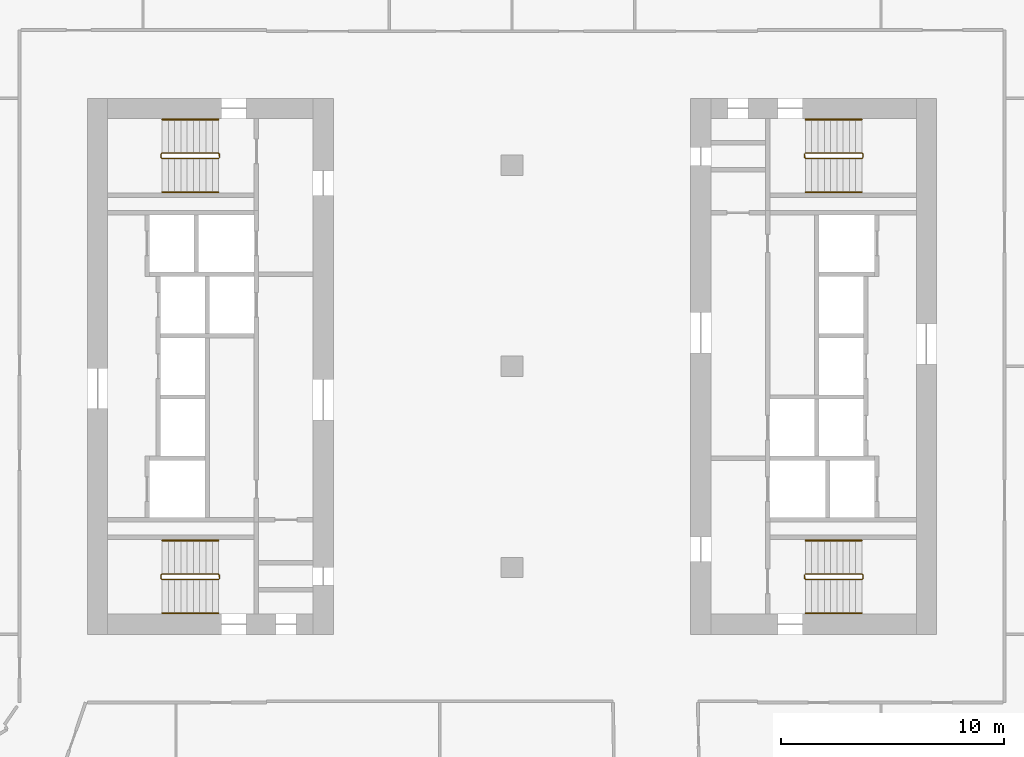
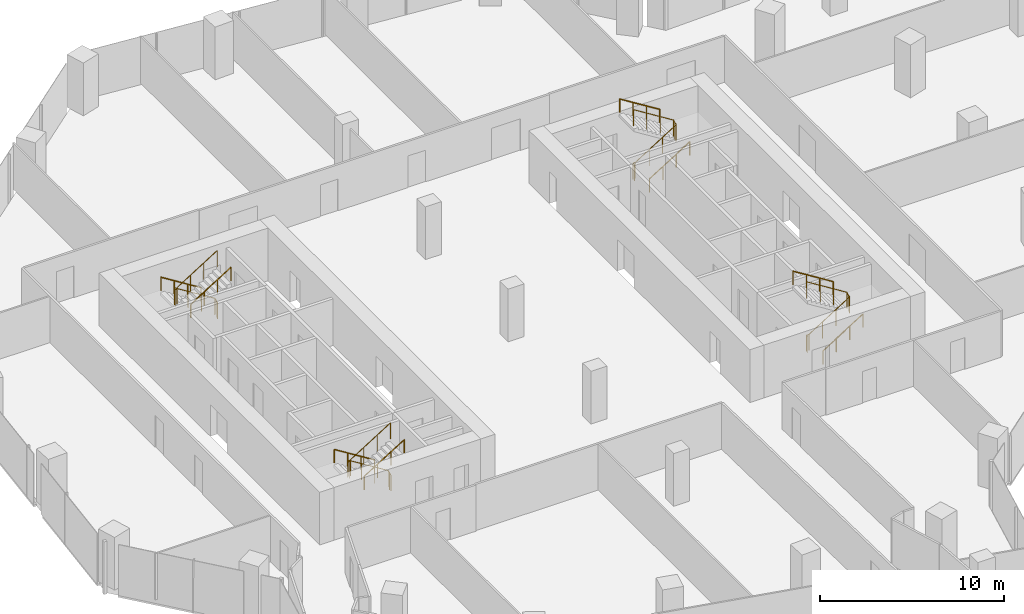
# One storey, part 24 of 24: 12 railings.
"""IFC4 building model written with IfcOpenShell, lengths in metres."""

from ifc_helpers import new_model, si_unit, direction, frame, origin, origin_2d, place, context, subcontext, project, spatial, circle, extrude, material, type_object, element, save


model = new_model("IFC4")

# Units and contexts
model_context = context("Model", 3, precision=1e-05, world=origin(), true_north=direction((0.0, 1.0)))
body_context = subcontext(model_context, "Body", "Model", "MODEL_VIEW")
ifc_project = project(units=[si_unit("LENGTHUNIT", "METRE"), si_unit("AREAUNIT", "SQUARE_METRE"), si_unit("VOLUMEUNIT", "CUBIC_METRE"), si_unit("PLANEANGLEUNIT", "RADIAN"), si_unit("MASSUNIT", "GRAM", prefix="KILO")], contexts=[model_context])

# Site, building, storey
site_placement = place(None, origin())
site = spatial("IfcSite", under=ifc_project, at=site_placement, CompositionType="ELEMENT")
building_placement = place(site_placement, origin())
building = spatial("IfcBuilding", under=site, at=building_placement, Name="Orlundy Tower", CompositionType="ELEMENT")
storey_placement = place(building_placement, frame((0.0, 0.0, 170.60009765625)))
storey = spatial("IfcBuildingStorey", under=building, at=storey_placement, Name="L44", CompositionType="ELEMENT", Elevation=170.60009765625)

# Railings
ifc_material_1 = material(Name="Steel balustrade", Category="steel")
railing_type_1 = type_object("IfcRailingType", Name="Stair Guard 1100", PredefinedType="GUARDRAIL", material=ifc_material_1)
railing_1_placement = place(storey_placement, frame((-13.090087890625, 9.5, 0.0)))
element("IfcRailing", 1, at=railing_1_placement, inside=storey, type_object=railing_type_1, Name="L44 ST-W1 stair guard 1", PredefinedType="GUARDRAIL", context=body_context, shape_type="SweptSolid", body=[
    extrude(circle(Radius=0.02392578125, at=origin_2d()), frame((0.0, 0.0, 1.076171875), z_axis=(0.0, -1.0, 0.0), x_axis=(1.0, 0.0, 0.0)), (0.0, 0.0, 1.0), 0.14990234375),
    extrude(circle(Radius=0.02392578125, at=origin_2d()), frame((0.0, -0.14990234375, 1.076171875), z_axis=(-0.184313129624, 0.739963005698, 0.646902945152), x_axis=(-0.970351222016, -0.241699205484, 0.0)), (0.0, 0.0, 1.0), 0.270263671875),
    extrude(circle(Radius=0.02392578125, at=origin_2d()), frame((-0.0498046875, 0.050048828125, 1.2509765625), z_axis=(-0.847970611238, 0.0, 0.530043245855), x_axis=(0.0, -1.0, 0.0)), (0.0, 0.0, 1.0), 2.971923828125),
    extrude(circle(Radius=0.02392578125, at=origin_2d()), frame((-2.56982421875, 0.050048828125, 2.826171875), z_axis=(-0.707106781187, -0.707106781187, 0.0), x_axis=(0.707106781187, -0.707106781187, 0.0)), (0.0, 0.0, 1.0), 0.07080078125),
    extrude(circle(Radius=0.02392578125, at=origin_2d()), frame((-2.619873046875, 0.0, 2.826171875), z_axis=(0.0, -1.0, 0.0), x_axis=(1.0, 0.0, 0.0)), (0.0, 0.0, 1.0), 0.14990234375),
    extrude(circle(Radius=0.02392578125, at=origin_2d()), frame((-2.619873046875, -0.14990234375, 2.826171875), z_axis=(0.265383341853, -0.265383341853, 0.926899867156), x_axis=(0.707106781187, 0.707106781187, 0.0)), (0.0, 0.0, 1.0), 0.1884765625),
    extrude(circle(Radius=0.02392578125, at=origin_2d()), frame((-2.56982421875, -0.199951171875, 3.0009765625), z_axis=(0.847970611238, 0.0, 0.530043245855), x_axis=(0.0, 1.0, 0.0)), (0.0, 0.0, 1.0), 2.971923828125),
    extrude(circle(Radius=0.02099609375, at=origin_2d()), origin(), (0.0, 0.0, 1.0), 1.052001953125),
    extrude(circle(Radius=0.02099609375, at=origin_2d()), frame((0.0, -0.14990234375, 0.0)), (0.0, 0.0, 1.0), 1.052001953125),
    extrude(circle(Radius=0.02099609375, at=origin_2d()), frame((-0.0498046875, 0.050048828125, 0.1748046875)), (0.0, 0.0, 1.0), 1.052001953125),
    extrude(circle(Radius=0.02099609375, at=origin_2d()), frame((-0.889892578125, 0.050048828125, 0.699951171875)), (0.0, 0.0, 1.0), 1.052001953125),
    extrude(circle(Radius=0.02099609375, at=origin_2d()), frame((-1.729736328125, 0.050048828125, 1.224853515625)), (0.0, 0.0, 1.0), 1.052001953125),
    extrude(circle(Radius=0.02099609375, at=origin_2d()), frame((-2.56982421875, 0.050048828125, 1.75)), (0.0, 0.0, 1.0), 1.052001953125),
    extrude(circle(Radius=0.02099609375, at=origin_2d()), frame((-2.619873046875, 0.0, 1.75)), (0.0, 0.0, 1.0), 1.052001953125),
    extrude(circle(Radius=0.02099609375, at=origin_2d()), frame((-2.619873046875, -0.14990234375, 1.75)), (0.0, 0.0, 1.0), 1.052001953125),
    extrude(circle(Radius=0.02099609375, at=origin_2d()), frame((-2.56982421875, -0.199951171875, 1.9248046875)), (0.0, 0.0, 1.0), 1.052001953125),
    extrude(circle(Radius=0.02099609375, at=origin_2d()), frame((-1.729736328125, -0.199951171875, 2.449951171875)), (0.0, 0.0, 1.0), 1.052001953125),
    extrude(circle(Radius=0.02099609375, at=origin_2d()), frame((-0.889892578125, -0.199951171875, 2.974853515625)), (0.0, 0.0, 1.0), 1.052001953125),
    extrude(circle(Radius=0.02099609375, at=origin_2d()), frame((-0.0498046875, -0.199951171875, 3.5)), (0.0, 0.0, 1.0), 1.052001953125),
])
railing_2_placement = place(storey_placement, frame((-13.090087890625, -9.35009765625, 0.0)))
element("IfcRailing", 2, at=railing_2_placement, inside=storey, type_object=railing_type_1, Name="L44 ST-W2 stair guard 1", PredefinedType="GUARDRAIL", context=body_context, shape_type="SweptSolid", body=[
    extrude(circle(Radius=0.02392578125, at=origin_2d()), frame((0.0, 0.0, 1.076171875), z_axis=(0.0, -1.0, 0.0), x_axis=(1.0, 0.0, 0.0)), (0.0, 0.0, 1.0), 0.14990234375),
    extrude(circle(Radius=0.02392578125, at=origin_2d()), frame((0.0, -0.14990234375, 1.076171875), z_axis=(-0.184313129624, 0.739963005698, 0.646902945152), x_axis=(-0.970351222016, -0.241699205484, 0.0)), (0.0, 0.0, 1.0), 0.270263671875),
    extrude(circle(Radius=0.02392578125, at=origin_2d()), frame((-0.0498046875, 0.050048828125, 1.2509765625), z_axis=(-0.847970611238, 0.0, 0.530043245855), x_axis=(0.0, -1.0, 0.0)), (0.0, 0.0, 1.0), 2.971923828125),
    extrude(circle(Radius=0.02392578125, at=origin_2d()), frame((-2.56982421875, 0.050048828125, 2.826171875), z_axis=(-0.707106781187, -0.707106781187, 0.0), x_axis=(0.707106781187, -0.707106781187, 0.0)), (0.0, 0.0, 1.0), 0.07080078125),
    extrude(circle(Radius=0.02392578125, at=origin_2d()), frame((-2.619873046875, 0.0, 2.826171875), z_axis=(0.0, -1.0, 0.0), x_axis=(1.0, 0.0, 0.0)), (0.0, 0.0, 1.0), 0.14990234375),
    extrude(circle(Radius=0.02392578125, at=origin_2d()), frame((-2.619873046875, -0.14990234375, 2.826171875), z_axis=(0.265383341853, -0.265383341853, 0.926899867156), x_axis=(0.707106781187, 0.707106781187, 0.0)), (0.0, 0.0, 1.0), 0.1884765625),
    extrude(circle(Radius=0.02392578125, at=origin_2d()), frame((-2.56982421875, -0.199951171875, 3.0009765625), z_axis=(0.847970611238, 0.0, 0.530043245855), x_axis=(0.0, 1.0, 0.0)), (0.0, 0.0, 1.0), 2.971923828125),
    extrude(circle(Radius=0.02099609375, at=origin_2d()), origin(), (0.0, 0.0, 1.0), 1.052001953125),
    extrude(circle(Radius=0.02099609375, at=origin_2d()), frame((0.0, -0.14990234375, 0.0)), (0.0, 0.0, 1.0), 1.052001953125),
    extrude(circle(Radius=0.02099609375, at=origin_2d()), frame((-0.0498046875, 0.050048828125, 0.1748046875)), (0.0, 0.0, 1.0), 1.052001953125),
    extrude(circle(Radius=0.02099609375, at=origin_2d()), frame((-0.889892578125, 0.050048828125, 0.699951171875)), (0.0, 0.0, 1.0), 1.052001953125),
    extrude(circle(Radius=0.02099609375, at=origin_2d()), frame((-1.729736328125, 0.050048828125, 1.224853515625)), (0.0, 0.0, 1.0), 1.052001953125),
    extrude(circle(Radius=0.02099609375, at=origin_2d()), frame((-2.56982421875, 0.050048828125, 1.75)), (0.0, 0.0, 1.0), 1.052001953125),
    extrude(circle(Radius=0.02099609375, at=origin_2d()), frame((-2.619873046875, 0.0, 1.75)), (0.0, 0.0, 1.0), 1.052001953125),
    extrude(circle(Radius=0.02099609375, at=origin_2d()), frame((-2.619873046875, -0.14990234375, 1.75)), (0.0, 0.0, 1.0), 1.052001953125),
    extrude(circle(Radius=0.02099609375, at=origin_2d()), frame((-2.56982421875, -0.199951171875, 1.9248046875)), (0.0, 0.0, 1.0), 1.052001953125),
    extrude(circle(Radius=0.02099609375, at=origin_2d()), frame((-1.729736328125, -0.199951171875, 2.449951171875)), (0.0, 0.0, 1.0), 1.052001953125),
    extrude(circle(Radius=0.02099609375, at=origin_2d()), frame((-0.889892578125, -0.199951171875, 2.974853515625)), (0.0, 0.0, 1.0), 1.052001953125),
    extrude(circle(Radius=0.02099609375, at=origin_2d()), frame((-0.0498046875, -0.199951171875, 3.5)), (0.0, 0.0, 1.0), 1.052001953125),
])
railing_3_placement = place(storey_placement, frame((13.090087890625, -9.5, 0.0)))
element("IfcRailing", 3, at=railing_3_placement, inside=storey, type_object=railing_type_1, Name="L44 ST-E1 stair guard 1", PredefinedType="GUARDRAIL", context=body_context, shape_type="SweptSolid", body=[
    extrude(circle(Radius=0.02392578125, at=origin_2d()), frame((0.0, 0.0, 1.076171875), z_axis=(0.0, 1.0, 0.0), x_axis=(-1.0, 0.0, 0.0)), (0.0, 0.0, 1.0), 0.14990234375),
    extrude(circle(Radius=0.02392578125, at=origin_2d()), frame((0.0, 0.14990234375, 1.076171875), z_axis=(0.184313129624, -0.739963005698, 0.646902945152), x_axis=(0.970351222016, 0.241699205484, 0.0)), (0.0, 0.0, 1.0), 0.270263671875),
    extrude(circle(Radius=0.02392578125, at=origin_2d()), frame((0.0498046875, -0.050048828125, 1.2509765625), z_axis=(0.847970611238, 0.0, 0.530043245855), x_axis=(0.0, 1.0, 0.0)), (0.0, 0.0, 1.0), 2.971923828125),
    extrude(circle(Radius=0.02392578125, at=origin_2d()), frame((2.56982421875, -0.050048828125, 2.826171875), z_axis=(0.707106781187, 0.707106781187, 0.0), x_axis=(-0.707106781187, 0.707106781187, 0.0)), (0.0, 0.0, 1.0), 0.07080078125),
    extrude(circle(Radius=0.02392578125, at=origin_2d()), frame((2.619873046875, 0.0, 2.826171875), z_axis=(0.0, 1.0, 0.0), x_axis=(-1.0, 0.0, 0.0)), (0.0, 0.0, 1.0), 0.14990234375),
    extrude(circle(Radius=0.02392578125, at=origin_2d()), frame((2.619873046875, 0.14990234375, 2.826171875), z_axis=(-0.265383341853, 0.265383341853, 0.926899867156), x_axis=(-0.707106781187, -0.707106781187, 0.0)), (0.0, 0.0, 1.0), 0.1884765625),
    extrude(circle(Radius=0.02392578125, at=origin_2d()), frame((2.56982421875, 0.199951171875, 3.0009765625), z_axis=(-0.847970611238, 0.0, 0.530043245855), x_axis=(0.0, -1.0, 0.0)), (0.0, 0.0, 1.0), 2.971923828125),
    extrude(circle(Radius=0.02099609375, at=origin_2d()), origin(), (0.0, 0.0, 1.0), 1.052001953125),
    extrude(circle(Radius=0.02099609375, at=origin_2d()), frame((0.0, 0.14990234375, 0.0)), (0.0, 0.0, 1.0), 1.052001953125),
    extrude(circle(Radius=0.02099609375, at=origin_2d()), frame((0.0498046875, -0.050048828125, 0.1748046875)), (0.0, 0.0, 1.0), 1.052001953125),
    extrude(circle(Radius=0.02099609375, at=origin_2d()), frame((0.889892578125, -0.050048828125, 0.699951171875)), (0.0, 0.0, 1.0), 1.052001953125),
    extrude(circle(Radius=0.02099609375, at=origin_2d()), frame((1.729736328125, -0.050048828125, 1.224853515625)), (0.0, 0.0, 1.0), 1.052001953125),
    extrude(circle(Radius=0.02099609375, at=origin_2d()), frame((2.56982421875, -0.050048828125, 1.75)), (0.0, 0.0, 1.0), 1.052001953125),
    extrude(circle(Radius=0.02099609375, at=origin_2d()), frame((2.619873046875, 0.0, 1.75)), (0.0, 0.0, 1.0), 1.052001953125),
    extrude(circle(Radius=0.02099609375, at=origin_2d()), frame((2.619873046875, 0.14990234375, 1.75)), (0.0, 0.0, 1.0), 1.052001953125),
    extrude(circle(Radius=0.02099609375, at=origin_2d()), frame((2.56982421875, 0.199951171875, 1.9248046875)), (0.0, 0.0, 1.0), 1.052001953125),
    extrude(circle(Radius=0.02099609375, at=origin_2d()), frame((1.729736328125, 0.199951171875, 2.449951171875)), (0.0, 0.0, 1.0), 1.052001953125),
    extrude(circle(Radius=0.02099609375, at=origin_2d()), frame((0.889892578125, 0.199951171875, 2.974853515625)), (0.0, 0.0, 1.0), 1.052001953125),
    extrude(circle(Radius=0.02099609375, at=origin_2d()), frame((0.0498046875, 0.199951171875, 3.5)), (0.0, 0.0, 1.0), 1.052001953125),
])
railing_4_placement = place(storey_placement, frame((13.090087890625, 9.35009765625, 0.0)))
element("IfcRailing", 4, at=railing_4_placement, inside=storey, type_object=railing_type_1, Name="L44 ST-E2 stair guard 1", PredefinedType="GUARDRAIL", context=body_context, shape_type="SweptSolid", body=[
    extrude(circle(Radius=0.02392578125, at=origin_2d()), frame((0.0, 0.0, 1.076171875), z_axis=(0.0, 1.0, 0.0), x_axis=(-1.0, 0.0, 0.0)), (0.0, 0.0, 1.0), 0.14990234375),
    extrude(circle(Radius=0.02392578125, at=origin_2d()), frame((0.0, 0.14990234375, 1.076171875), z_axis=(0.184313129624, -0.739963005698, 0.646902945152), x_axis=(0.970351222016, 0.241699205484, 0.0)), (0.0, 0.0, 1.0), 0.270263671875),
    extrude(circle(Radius=0.02392578125, at=origin_2d()), frame((0.0498046875, -0.050048828125, 1.2509765625), z_axis=(0.847970611238, 0.0, 0.530043245855), x_axis=(0.0, 1.0, 0.0)), (0.0, 0.0, 1.0), 2.971923828125),
    extrude(circle(Radius=0.02392578125, at=origin_2d()), frame((2.56982421875, -0.050048828125, 2.826171875), z_axis=(0.707106781187, 0.707106781187, 0.0), x_axis=(-0.707106781187, 0.707106781187, 0.0)), (0.0, 0.0, 1.0), 0.07080078125),
    extrude(circle(Radius=0.02392578125, at=origin_2d()), frame((2.619873046875, 0.0, 2.826171875), z_axis=(0.0, 1.0, 0.0), x_axis=(-1.0, 0.0, 0.0)), (0.0, 0.0, 1.0), 0.14990234375),
    extrude(circle(Radius=0.02392578125, at=origin_2d()), frame((2.619873046875, 0.14990234375, 2.826171875), z_axis=(-0.265383341853, 0.265383341853, 0.926899867156), x_axis=(-0.707106781187, -0.707106781187, 0.0)), (0.0, 0.0, 1.0), 0.1884765625),
    extrude(circle(Radius=0.02392578125, at=origin_2d()), frame((2.56982421875, 0.199951171875, 3.0009765625), z_axis=(-0.847970611238, 0.0, 0.530043245855), x_axis=(0.0, -1.0, 0.0)), (0.0, 0.0, 1.0), 2.971923828125),
    extrude(circle(Radius=0.02099609375, at=origin_2d()), origin(), (0.0, 0.0, 1.0), 1.052001953125),
    extrude(circle(Radius=0.02099609375, at=origin_2d()), frame((0.0, 0.14990234375, 0.0)), (0.0, 0.0, 1.0), 1.052001953125),
    extrude(circle(Radius=0.02099609375, at=origin_2d()), frame((0.0498046875, -0.050048828125, 0.1748046875)), (0.0, 0.0, 1.0), 1.052001953125),
    extrude(circle(Radius=0.02099609375, at=origin_2d()), frame((0.889892578125, -0.050048828125, 0.699951171875)), (0.0, 0.0, 1.0), 1.052001953125),
    extrude(circle(Radius=0.02099609375, at=origin_2d()), frame((1.729736328125, -0.050048828125, 1.224853515625)), (0.0, 0.0, 1.0), 1.052001953125),
    extrude(circle(Radius=0.02099609375, at=origin_2d()), frame((2.56982421875, -0.050048828125, 1.75)), (0.0, 0.0, 1.0), 1.052001953125),
    extrude(circle(Radius=0.02099609375, at=origin_2d()), frame((2.619873046875, 0.0, 1.75)), (0.0, 0.0, 1.0), 1.052001953125),
    extrude(circle(Radius=0.02099609375, at=origin_2d()), frame((2.619873046875, 0.14990234375, 1.75)), (0.0, 0.0, 1.0), 1.052001953125),
    extrude(circle(Radius=0.02099609375, at=origin_2d()), frame((2.56982421875, 0.199951171875, 1.9248046875)), (0.0, 0.0, 1.0), 1.052001953125),
    extrude(circle(Radius=0.02099609375, at=origin_2d()), frame((1.729736328125, 0.199951171875, 2.449951171875)), (0.0, 0.0, 1.0), 1.052001953125),
    extrude(circle(Radius=0.02099609375, at=origin_2d()), frame((0.889892578125, 0.199951171875, 2.974853515625)), (0.0, 0.0, 1.0), 1.052001953125),
    extrude(circle(Radius=0.02099609375, at=origin_2d()), frame((0.0498046875, 0.199951171875, 3.5)), (0.0, 0.0, 1.0), 1.052001953125),
])
ifc_material_2 = material(Name="Steel handrail", Category="steel")
railing_type_2 = type_object("IfcRailingType", Name="Stair Handrail 900", PredefinedType="HANDRAIL", material=ifc_material_2)
railing_5_placement = place(storey_placement, frame((-13.139892578125, 11.050048828125, 0.1748046875)))
element("IfcRailing", 5, at=railing_5_placement, inside=storey, type_object=railing_type_2, Name="L44 ST-W1 stair handrail 1", PredefinedType="HANDRAIL", context=body_context, shape_type="SweptSolid", body=[
    extrude(circle(Radius=0.02392578125, at=origin_2d()), frame((0.0, 0.0, 0.8759765625), z_axis=(-0.847970611238, 0.0, 0.530043245855), x_axis=(0.0, -1.0, 0.0)), (0.0, 0.0, 1.0), 2.971923828125),
    extrude(circle(Radius=0.02099609375, at=origin_2d()), origin(), (0.0, 0.0, 1.0), 0.851806640625),
    extrude(circle(Radius=0.02099609375, at=origin_2d()), frame((-0.840087890625, 0.0, 0.525146484375)), (0.0, 0.0, 1.0), 0.851806640625),
    extrude(circle(Radius=0.02099609375, at=origin_2d()), frame((-1.679931640625, 0.0, 1.050048828125)), (0.0, 0.0, 1.0), 0.851806640625),
    extrude(circle(Radius=0.02099609375, at=origin_2d()), frame((-2.52001953125, 0.0, 1.5751953125)), (0.0, 0.0, 1.0), 0.851806640625),
])
railing_6_placement = place(storey_placement, frame((-15.659912109375, 7.800048828125, 1.9248046875)))
element("IfcRailing", 6, at=railing_6_placement, inside=storey, type_object=railing_type_2, Name="L44 ST-W1 stair handrail 2", PredefinedType="HANDRAIL", context=body_context, shape_type="SweptSolid", body=[
    extrude(circle(Radius=0.02392578125, at=origin_2d()), frame((0.0, 0.0, 0.8759765625), z_axis=(0.847970611238, 0.0, 0.530043245855), x_axis=(0.0, 1.0, 0.0)), (0.0, 0.0, 1.0), 2.971923828125),
    extrude(circle(Radius=0.02099609375, at=origin_2d()), origin(), (0.0, 0.0, 1.0), 0.851806640625),
    extrude(circle(Radius=0.02099609375, at=origin_2d()), frame((0.840087890625, 0.0, 0.525146484375)), (0.0, 0.0, 1.0), 0.851806640625),
    extrude(circle(Radius=0.02099609375, at=origin_2d()), frame((1.679931640625, 0.0, 1.050048828125)), (0.0, 0.0, 1.0), 0.851806640625),
    extrude(circle(Radius=0.02099609375, at=origin_2d()), frame((2.52001953125, 0.0, 1.5751953125)), (0.0, 0.0, 1.0), 0.851806640625),
])
railing_7_placement = place(storey_placement, frame((-13.139892578125, -7.800048828125, 0.1748046875)))
element("IfcRailing", 7, at=railing_7_placement, inside=storey, type_object=railing_type_2, Name="L44 ST-W2 stair handrail 1", PredefinedType="HANDRAIL", context=body_context, shape_type="SweptSolid", body=[
    extrude(circle(Radius=0.02392578125, at=origin_2d()), frame((0.0, 0.0, 0.8759765625), z_axis=(-0.847970611238, 0.0, 0.530043245855), x_axis=(0.0, -1.0, 0.0)), (0.0, 0.0, 1.0), 2.971923828125),
    extrude(circle(Radius=0.02099609375, at=origin_2d()), origin(), (0.0, 0.0, 1.0), 0.851806640625),
    extrude(circle(Radius=0.02099609375, at=origin_2d()), frame((-0.840087890625, 0.0, 0.525146484375)), (0.0, 0.0, 1.0), 0.851806640625),
    extrude(circle(Radius=0.02099609375, at=origin_2d()), frame((-1.679931640625, 0.0, 1.050048828125)), (0.0, 0.0, 1.0), 0.851806640625),
    extrude(circle(Radius=0.02099609375, at=origin_2d()), frame((-2.52001953125, 0.0, 1.5751953125)), (0.0, 0.0, 1.0), 0.851806640625),
])
for number, where, name in (
    (8, (-15.659912109375, -11.050048828125, 1.9248046875), "L44 ST-W2 stair handrail 2"),
    (9, (13.139892578125, -11.050048828125, 0.1748046875), "L44 ST-E1 stair handrail 1"),
):
    element("IfcRailing", number, at=place(storey_placement, frame(where)), inside=storey, type_object=railing_type_2, Name=name, PredefinedType="HANDRAIL", context=body_context, shape_type="SweptSolid", body=[
        extrude(circle(Radius=0.02392578125, at=origin_2d()), frame((0.0, 0.0, 0.8759765625), z_axis=(0.847970611238, 0.0, 0.530043245855), x_axis=(0.0, 1.0, 0.0)), (0.0, 0.0, 1.0), 2.971923828125),
        extrude(circle(Radius=0.02099609375, at=origin_2d()), origin(), (0.0, 0.0, 1.0), 0.851806640625),
        extrude(circle(Radius=0.02099609375, at=origin_2d()), frame((0.840087890625, 0.0, 0.525146484375)), (0.0, 0.0, 1.0), 0.851806640625),
        extrude(circle(Radius=0.02099609375, at=origin_2d()), frame((1.679931640625, 0.0, 1.050048828125)), (0.0, 0.0, 1.0), 0.851806640625),
        extrude(circle(Radius=0.02099609375, at=origin_2d()), frame((2.52001953125, 0.0, 1.5751953125)), (0.0, 0.0, 1.0), 0.851806640625),
    ])
railing_8_placement = place(storey_placement, frame((15.659912109375, -7.800048828125, 1.9248046875)))
element("IfcRailing", 10, at=railing_8_placement, inside=storey, type_object=railing_type_2, Name="L44 ST-E1 stair handrail 2", PredefinedType="HANDRAIL", context=body_context, shape_type="SweptSolid", body=[
    extrude(circle(Radius=0.02392578125, at=origin_2d()), frame((0.0, 0.0, 0.8759765625), z_axis=(-0.847970611238, 0.0, 0.530043245855), x_axis=(0.0, -1.0, 0.0)), (0.0, 0.0, 1.0), 2.971923828125),
    extrude(circle(Radius=0.02099609375, at=origin_2d()), origin(), (0.0, 0.0, 1.0), 0.851806640625),
    extrude(circle(Radius=0.02099609375, at=origin_2d()), frame((-0.840087890625, 0.0, 0.525146484375)), (0.0, 0.0, 1.0), 0.851806640625),
    extrude(circle(Radius=0.02099609375, at=origin_2d()), frame((-1.679931640625, 0.0, 1.050048828125)), (0.0, 0.0, 1.0), 0.851806640625),
    extrude(circle(Radius=0.02099609375, at=origin_2d()), frame((-2.52001953125, 0.0, 1.5751953125)), (0.0, 0.0, 1.0), 0.851806640625),
])
railing_9_placement = place(storey_placement, frame((13.139892578125, 7.800048828125, 0.1748046875)))
element("IfcRailing", 11, at=railing_9_placement, inside=storey, type_object=railing_type_2, Name="L44 ST-E2 stair handrail 1", PredefinedType="HANDRAIL", context=body_context, shape_type="SweptSolid", body=[
    extrude(circle(Radius=0.02392578125, at=origin_2d()), frame((0.0, 0.0, 0.8759765625), z_axis=(0.847970611238, 0.0, 0.530043245855), x_axis=(0.0, 1.0, 0.0)), (0.0, 0.0, 1.0), 2.971923828125),
    extrude(circle(Radius=0.02099609375, at=origin_2d()), origin(), (0.0, 0.0, 1.0), 0.851806640625),
    extrude(circle(Radius=0.02099609375, at=origin_2d()), frame((0.840087890625, 0.0, 0.525146484375)), (0.0, 0.0, 1.0), 0.851806640625),
    extrude(circle(Radius=0.02099609375, at=origin_2d()), frame((1.679931640625, 0.0, 1.050048828125)), (0.0, 0.0, 1.0), 0.851806640625),
    extrude(circle(Radius=0.02099609375, at=origin_2d()), frame((2.52001953125, 0.0, 1.5751953125)), (0.0, 0.0, 1.0), 0.851806640625),
])
railing_10_placement = place(storey_placement, frame((15.659912109375, 11.050048828125, 1.9248046875)))
element("IfcRailing", 12, at=railing_10_placement, inside=storey, type_object=railing_type_2, Name="L44 ST-E2 stair handrail 2", PredefinedType="HANDRAIL", context=body_context, shape_type="SweptSolid", body=[
    extrude(circle(Radius=0.02392578125, at=origin_2d()), frame((0.0, 0.0, 0.8759765625), z_axis=(-0.847970611238, 0.0, 0.530043245855), x_axis=(0.0, -1.0, 0.0)), (0.0, 0.0, 1.0), 2.971923828125),
    extrude(circle(Radius=0.02099609375, at=origin_2d()), origin(), (0.0, 0.0, 1.0), 0.851806640625),
    extrude(circle(Radius=0.02099609375, at=origin_2d()), frame((-0.840087890625, 0.0, 0.525146484375)), (0.0, 0.0, 1.0), 0.851806640625),
    extrude(circle(Radius=0.02099609375, at=origin_2d()), frame((-1.679931640625, 0.0, 1.050048828125)), (0.0, 0.0, 1.0), 0.851806640625),
    extrude(circle(Radius=0.02099609375, at=origin_2d()), frame((-2.52001953125, 0.0, 1.5751953125)), (0.0, 0.0, 1.0), 0.851806640625),
])

save(model, "model.ifc")
